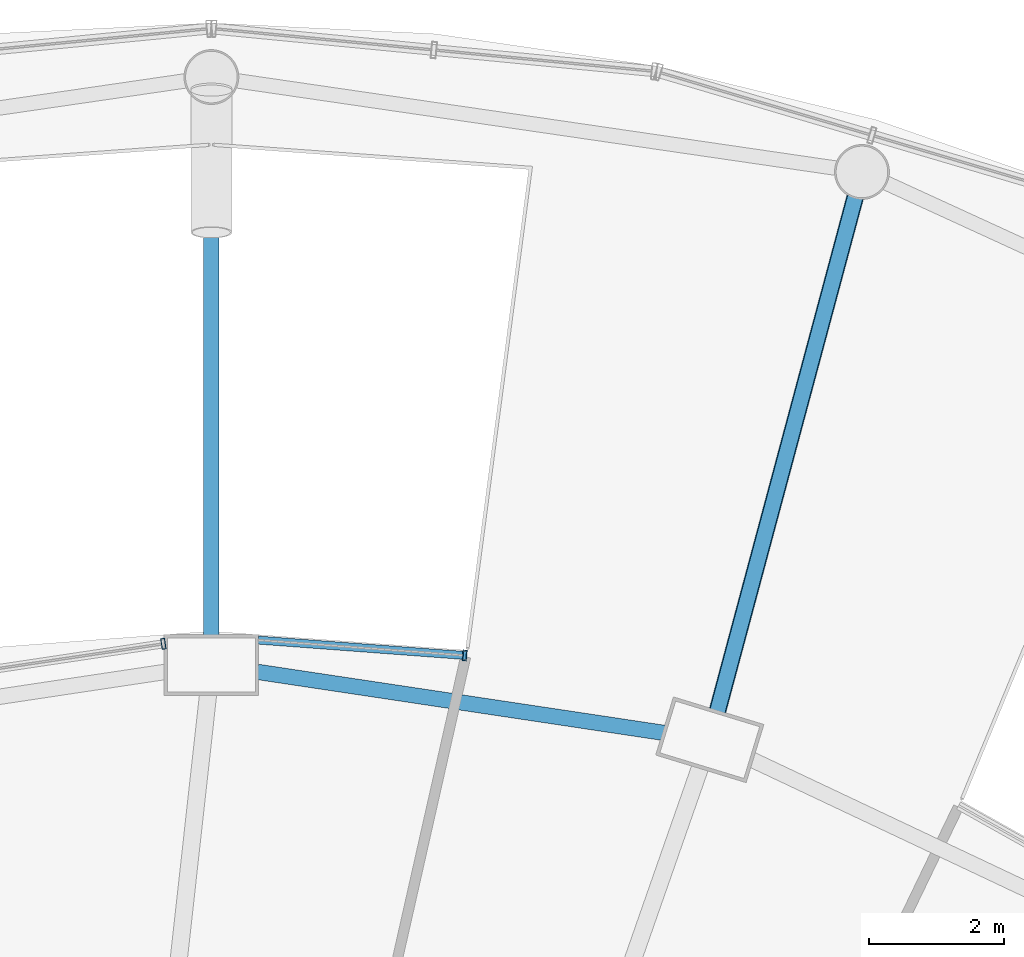
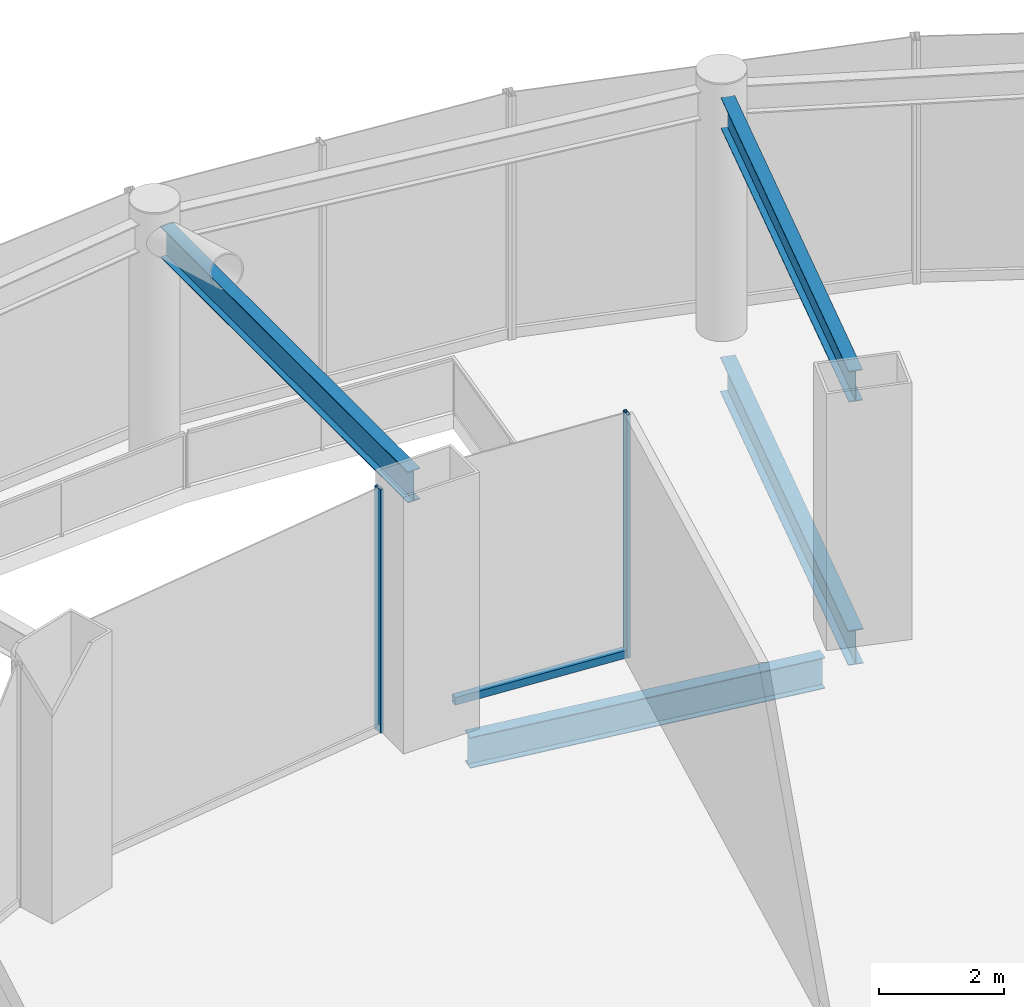
# One storey, part 36 of 52: 4 beams, 3 members, 2 elements without a shape of their own.
"""IFC4 building model written with IfcOpenShell, lengths in metres."""

from ifc_helpers import new_model, si_unit, direction, frame, origin, origin_2d, place, context, subcontext, project, spatial, hollow_rectangle, i_section, extrude, material, layer, layer_set, material_profile, profile_set, type_object, element, aggregate, save


model = new_model("IFC4")

# Units and contexts
model_context = context("Model", 3, precision=1e-05, world=origin(), true_north=direction((0.0, 1.0)))
body_context = subcontext(model_context, "Body", "Model", "MODEL_VIEW")
ifc_project = project(units=[si_unit("LENGTHUNIT", "METRE"), si_unit("AREAUNIT", "SQUARE_METRE"), si_unit("VOLUMEUNIT", "CUBIC_METRE"), si_unit("PLANEANGLEUNIT", "RADIAN"), si_unit("MASSUNIT", "GRAM", prefix="KILO")], contexts=[model_context])

# Site, building, storey
site_placement = place(None, origin())
site = spatial("IfcSite", under=ifc_project, at=site_placement, CompositionType="ELEMENT")
building_placement = place(site_placement, origin())
building = spatial("IfcBuilding", under=site, at=building_placement, Name="Nagisa Residences", CompositionType="ELEMENT")
storey_placement = place(building_placement, frame((0.0, 0.0, 22.0)))
storey = spatial("IfcBuildingStorey", under=building, at=storey_placement, Name="L04", CompositionType="ELEMENT", Elevation=22.0)

# Beams
ifc_material_1 = material(Name="Steel ASTM A572 Gr 50", Category="steel")
ifc_material_profile_1 = material_profile(ifc_material_1, i_section(OverallWidth=0.2529296875, OverallDepth=0.677978515625, WebThickness=0.01171875, FlangeThickness=0.016357421875, at=origin_2d()), Name="W690x125")
ifc_profile_set_1 = profile_set([ifc_material_profile_1], Name="Steel ASTM A572 Gr 50")
beam_type_1 = type_object("IfcBeamType", Name="Atrium bridge beam W690x125", PredefinedType="BEAM", material=ifc_profile_set_1)
beam_1_placement = place(storey_placement, frame((11.087646484375, 31.80810546875, -0.638916015625), z_axis=(0.258809356376, 0.965928422324, 0.0), x_axis=(-0.965928422324, 0.258809356376, 0.0)))
element("IfcBeam", 1, at=beam_1_placement, inside=storey, type_object=beam_type_1, Name="beam:L04:br06", PredefinedType="BEAM", context=body_context, shape_type="SweptSolid", body=[
    extrude(i_section(OverallWidth=0.2529296875, OverallDepth=0.677978515625, WebThickness=0.01171875, FlangeThickness=0.016357421875, at=origin_2d()), origin(), (0.0, 0.0, 1.0), 7.88330078125),
])
ifc_material_2 = material(Name="Steel ASTM A572 Gr 50", Category="steel")
ifc_material_profile_2 = material_profile(ifc_material_2, i_section(OverallWidth=0.22802734375, OverallDepth=0.60302734375, WebThickness=0.010498046875, FlangeThickness=0.014892578125, at=origin_2d()), Name="W610x101")
ifc_profile_set_2 = profile_set([ifc_material_profile_2], Name="Steel ASTM A572 Gr 50")
beam_type_2 = type_object("IfcBeamType", Name="Atrium roof beam W610x101", PredefinedType="BEAM", material=ifc_profile_set_2)
beam_2_placement = place(storey_placement, frame((11.087646484375, 31.80810546875, 4.448486328125), z_axis=(0.258809356376, 0.965928422324, 0.0), x_axis=(-0.965928422324, 0.258809356376, 0.0)))
element("IfcBeam", 2, at=beam_2_placement, inside=storey, type_object=beam_type_2, Name="beam:L04:rer06", PredefinedType="BEAM", context=body_context, shape_type="SweptSolid", body=[
    extrude(i_section(OverallWidth=0.22802734375, OverallDepth=0.60302734375, WebThickness=0.010498046875, FlangeThickness=0.014892578125, at=origin_2d()), origin(), (0.0, 0.0, 1.0), 7.88330078125),
])
beam_3_placement = place(storey_placement, frame((3.60009765625, 32.929931640625, 4.448486328125), z_axis=(0.0, 1.0, 0.0), x_axis=(-1.0, 0.0, 0.0)))
element("IfcBeam", 3, at=beam_3_placement, inside=storey, type_object=beam_type_2, Name="beam:L04:rer07", PredefinedType="BEAM", context=body_context, shape_type="SweptSolid", body=[
    extrude(i_section(OverallWidth=0.22802734375, OverallDepth=0.60302734375, WebThickness=0.010498046875, FlangeThickness=0.014892578125, at=origin_2d()), origin(), (0.0, 0.0, 1.0), 7.883544921875),
])

# Curtain wall, member
ifc_material_3 = material(Name="Stainless steel curtain wall system", Category="steel")
ifc_layer = layer(ifc_material_3, 0.159912109375)
ifc_layer_set = layer_set([ifc_layer], Name="CW6 CURTAIN WALL")
curtain_wall_type = type_object("IfcCurtainWallType", Name="CW6 CURTAIN WALL", PredefinedType="NOTDEFINED", material=ifc_layer_set)
curtain_wall_1_placement = place(storey_placement, origin())
curtain_wall_1 = element("IfcCurtainWall", 4, at=curtain_wall_1_placement, inside=storey, type_object=curtain_wall_type, Name="cw:CW6:L04:11", PredefinedType="NOTDEFINED")
ifc_material_4 = material(Name="Stainless steel", Category="steel")
ifc_material_profile_3 = material_profile(ifc_material_4, hollow_rectangle(XDim=0.159912109375, YDim=0.06005859375, WallThickness=0.006103515625, at=origin_2d()), Name="CW6 MULLION 160x60")
ifc_profile_set_3 = profile_set([ifc_material_profile_3], Name="Stainless steel")
member_type_1 = type_object("IfcMemberType", Name="CW6 MULLION 160x60", PredefinedType="MULLION", material=ifc_profile_set_3)
member_1_placement = place(storey_placement, frame((7.349365234375, 32.64013671875, 0.0), z_axis=(0.0, 0.0, 1.0), x_axis=(-0.074377355493, -0.997230168512, 0.0)))
member_1 = element("IfcMember", 5, at=member_1_placement, type_object=member_type_1, Name="CW6 mullion", PredefinedType="MULLION", context=body_context, shape_type="SweptSolid", body=[
    extrude(hollow_rectangle(XDim=0.159912109375, YDim=0.06005859375, WallThickness=0.006103515625, at=origin_2d()), origin(), (0.0, 0.0, 1.0), 4.739990234375),
])

curtain_wall_2_placement = place(storey_placement, origin())
curtain_wall_2 = element("IfcCurtainWall", 6, at=curtain_wall_2_placement, inside=storey, type_object=curtain_wall_type, Name="cw:CW6:L04:12", PredefinedType="NOTDEFINED")
member_2_placement = place(storey_placement, frame((2.889892578125, 32.812744140625, 0.0), z_axis=(0.0, 0.0, 1.0), x_axis=(0.148158096894, -0.988963689083, 0.0)))
member_2 = element("IfcMember", 7, at=member_2_placement, type_object=member_type_1, Name="CW6 mullion", PredefinedType="MULLION", context=body_context, shape_type="SweptSolid", body=[
    extrude(hollow_rectangle(XDim=0.159912109375, YDim=0.06005859375, WallThickness=0.006103515625, at=origin_2d()), origin(), (0.0, 0.0, 1.0), 4.739990234375),
])
aggregate(curtain_wall_2, [member_2])

# Member
ifc_material_5 = material(Name="Stainless steel", Category="steel")
ifc_material_profile_4 = material_profile(ifc_material_5, hollow_rectangle(XDim=0.1201171875, YDim=0.14990234375, WallThickness=0.008056640625, at=origin_2d()), Name="CW6 TRANSOM 120x150")
ifc_profile_set_4 = profile_set([ifc_material_profile_4], Name="Stainless steel")
member_type_2 = type_object("IfcMemberType", Name="CW6 TRANSOM 120x150", PredefinedType="USERDEFINED", material=ifc_profile_set_4)
member_3_placement = place(storey_placement, frame((7.37939453125, 32.637939453125, 0.074951171875), z_axis=(-0.997231270995, 0.07436257224, 0.0), x_axis=(-0.07436257224, -0.997231270995, 0.0)))
member_3 = element("IfcMember", 8, at=member_3_placement, type_object=member_type_2, Name="CW6 transom", ObjectType="TRANSOM", PredefinedType="USERDEFINED", context=body_context, shape_type="SweptSolid", body=[
    extrude(hollow_rectangle(XDim=0.1201171875, YDim=0.14990234375, WallThickness=0.008056640625, at=origin_2d()), origin(), (0.0, 0.0, 1.0), 3.095947265625),
])

aggregate(curtain_wall_1, [member_1, member_3])

# Beam
ifc_material_6 = material(Name="Steel ASTM A572 Gr 50", Category="steel")
ifc_material_profile_5 = material_profile(ifc_material_6, i_section(OverallWidth=0.22802734375, OverallDepth=0.60302734375, WebThickness=0.010498046875, FlangeThickness=0.014892578125, at=origin_2d()), Name="W610x101")
ifc_profile_set_5 = profile_set([ifc_material_profile_5], Name="Steel ASTM A572 Gr 50")
beam_type_3 = type_object("IfcBeamType", Name="Perimeter ring beam W610x101", PredefinedType="BEAM", material=ifc_profile_set_5)
beam_4_placement = place(storey_placement, frame((10.29638671875, 31.49462890625, -0.6015625), z_axis=(-0.988914559467, 0.14848566959, 0.0), x_axis=(-0.14848566959, -0.988914559467, 0.0)))
element("IfcBeam", 9, at=beam_4_placement, inside=storey, type_object=beam_type_3, Name="beam:L04:pb06", PredefinedType="BEAM", context=body_context, shape_type="SweptSolid", body=[
    extrude(i_section(OverallWidth=0.22802734375, OverallDepth=0.60302734375, WebThickness=0.010498046875, FlangeThickness=0.014892578125, at=origin_2d()), origin(), (0.0, 0.0, 1.0), 6.08349609375),
])

save(model, "model.ifc")
